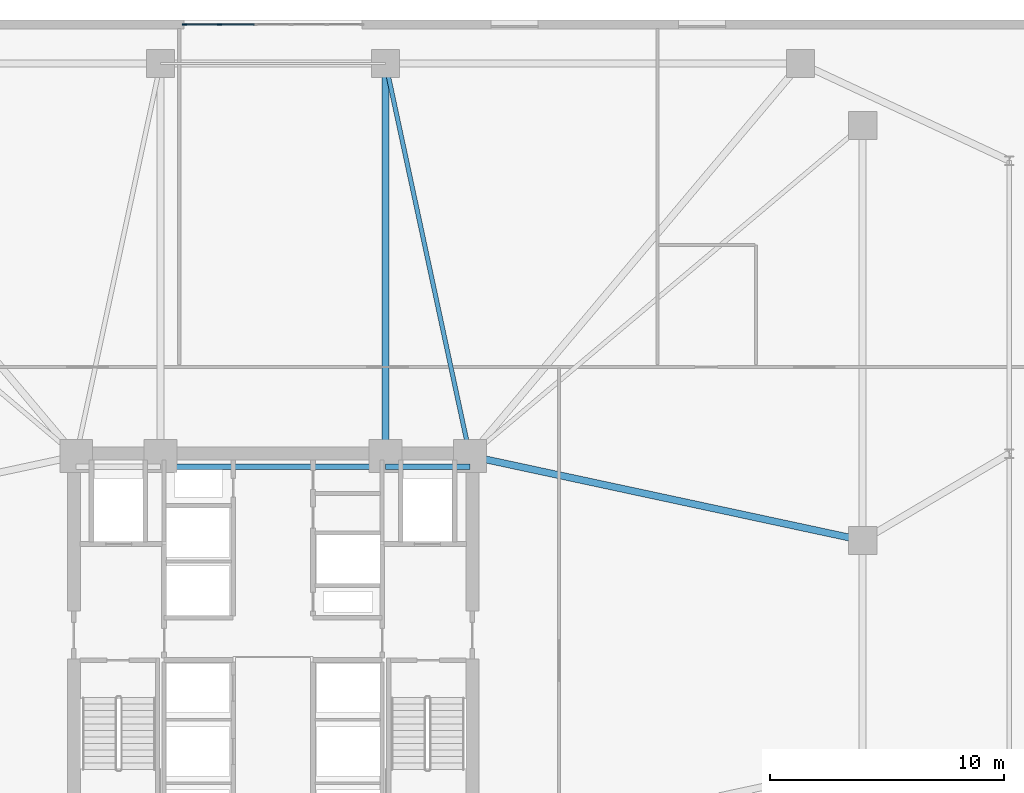
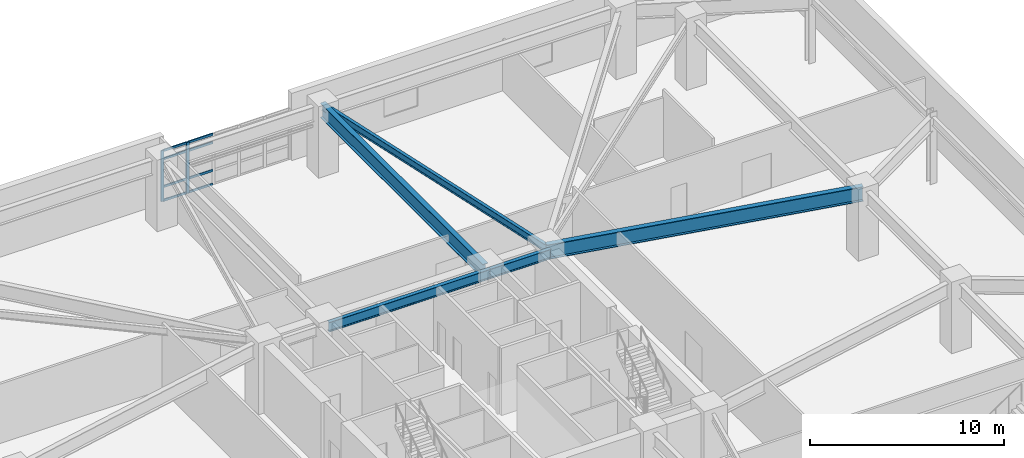
# One storey, part 7 of 21: 10 members, 5 beams, 1 element without a shape of its own.
"""IFC4 building model written with IfcOpenShell, lengths in metres."""

from ifc_helpers import new_model, si_unit, direction, frame, origin, origin_2d, place, context, subcontext, project, spatial, rectangle, i_section, extrude, material, layer, layer_set, material_profile, profile_set, type_object, element, aggregate, save


model = new_model("IFC4")

# Units and contexts
model_context = context("Model", 3, precision=1e-05, world=origin(), true_north=direction((0.0, 1.0)))
body_context = subcontext(model_context, "Body", "Model", "MODEL_VIEW")
ifc_project = project(units=[si_unit("LENGTHUNIT", "METRE"), si_unit("AREAUNIT", "SQUARE_METRE"), si_unit("VOLUMEUNIT", "CUBIC_METRE"), si_unit("PLANEANGLEUNIT", "RADIAN"), si_unit("MASSUNIT", "GRAM", prefix="KILO")], contexts=[model_context])

# Site, building, storey
site_placement = place(None, origin())
site = spatial("IfcSite", under=ifc_project, at=site_placement, CompositionType="ELEMENT")
building_placement = place(site_placement, origin())
building = spatial("IfcBuilding", under=site, at=building_placement, Name="Cairnveth Concourse Tower", CompositionType="ELEMENT")
storey_placement = place(building_placement, frame((0.0, 0.0, 10.0)))
storey = spatial("IfcBuildingStorey", under=building, at=storey_placement, Name="L02", CompositionType="ELEMENT", Elevation=10.0)

# Curtain wall, members
ifc_material_1 = material(Name="Architectural Bronze Anodised Aluminium 6063-T6", Category="aluminium")
ifc_layer = layer(ifc_material_1, 0.340087890625)
ifc_layer_set = layer_set([ifc_layer], Name="Architectural Bronze Anodised Aluminium 6063-T6")
curtain_wall_type = type_object("IfcCurtainWallType", Name="BALLROOM FOYER UNITISED CURTAIN WALL", PredefinedType="USERDEFINED", material=ifc_layer_set)
curtain_wall_placement = place(storey_placement, origin())
curtain_wall = element("IfcCurtainWall", 1, at=curtain_wall_placement, inside=storey, type_object=curtain_wall_type, Name="Curtain Wall CW-L02-N1", ObjectType="UNITISED FACADE", PredefinedType="USERDEFINED")
ifc_material_profile_1 = material_profile(ifc_material_1, rectangle(XDim=0.06494140625, YDim=0.179931640625, at=origin_2d()), Name="AL-MUL-65x180")
ifc_profile_set_1 = profile_set([ifc_material_profile_1], Name="Architectural Bronze Anodised Aluminium 6063-T6")
member_type_1 = type_object("IfcMemberType", Name="BRONZE CURTAIN WALL MULLION AL-MUL-65x180", PredefinedType="MULLION", material=ifc_profile_set_1)
member_1_placement = place(storey_placement, frame((48.217529296875, 65.81005859375, 0.0), z_axis=(0.0, 0.0, 1.0), x_axis=(0.0, 1.0, 0.0)))
member_1 = element("IfcMember", 2, at=member_1_placement, type_object=member_type_1, Name="CWS3 mullion 1", PredefinedType="MULLION", context=body_context, shape_type="SweptSolid", body=[
    extrude(rectangle(XDim=0.06494140625, YDim=0.179931640625, at=origin_2d()), origin(), (0.0, 0.0, 1.0), 3.196044921875),
])
member_2_placement = place(storey_placement, frame((49.7109375, 65.81005859375, 0.0), z_axis=(0.0, 0.0, 1.0), x_axis=(0.0, 1.0, 0.0)))
member_2 = element("IfcMember", 3, at=member_2_placement, type_object=member_type_1, Name="CWS3 mullion 2", PredefinedType="MULLION", context=body_context, shape_type="SweptSolid", body=[
    extrude(rectangle(XDim=0.06494140625, YDim=0.179931640625, at=origin_2d()), origin(), (0.0, 0.0, 1.0), 3.196044921875),
])
ifc_material_profile_2 = material_profile(ifc_material_1, rectangle(XDim=0.06494140625, YDim=0.139892578125, at=origin_2d()), Name="AL-TRN-65x140")
ifc_profile_set_2 = profile_set([ifc_material_profile_2], Name="Architectural Bronze Anodised Aluminium 6063-T6")
member_type_2 = type_object("IfcMemberType", Name="BRONZE CURTAIN WALL TRANSOM AL-TRN-65x140", PredefinedType="USERDEFINED", material=ifc_profile_set_2)
member_3_placement = place(storey_placement, frame((48.25, 65.81005859375, 0.032470703125), z_axis=(1.0, 0.0, 0.0), x_axis=(0.0, 1.0, 0.0)))
member_3 = element("IfcMember", 4, at=member_3_placement, type_object=member_type_2, Name="CWS3 transom 1.1", ObjectType="TRANSOM", PredefinedType="USERDEFINED", context=body_context, shape_type="SweptSolid", body=[
    extrude(rectangle(XDim=0.06494140625, YDim=0.139892578125, at=origin_2d()), origin(), (0.0, 0.0, 1.0), 1.428466796875),
])
member_4_placement = place(storey_placement, frame((48.25, 65.81005859375, 0.89990234375), z_axis=(1.0, 0.0, 0.0), x_axis=(0.0, 1.0, 0.0)))
member_4 = element("IfcMember", 5, at=member_4_placement, type_object=member_type_2, Name="CWS3 transom 1.2", ObjectType="TRANSOM", PredefinedType="USERDEFINED", context=body_context, shape_type="SweptSolid", body=[
    extrude(rectangle(XDim=0.06494140625, YDim=0.139892578125, at=origin_2d()), origin(), (0.0, 0.0, 1.0), 1.428466796875),
])
member_5_placement = place(storey_placement, frame((48.25, 65.81005859375, 2.64599609375), z_axis=(1.0, 0.0, 0.0), x_axis=(0.0, 1.0, 0.0)))
member_5 = element("IfcMember", 6, at=member_5_placement, type_object=member_type_2, Name="CWS3 transom 1.3", ObjectType="TRANSOM", PredefinedType="USERDEFINED", context=body_context, shape_type="SweptSolid", body=[
    extrude(rectangle(XDim=0.06494140625, YDim=0.139892578125, at=origin_2d()), origin(), (0.0, 0.0, 1.0), 1.428466796875),
])
member_6_placement = place(storey_placement, frame((48.25, 65.81005859375, 3.16357421875), z_axis=(1.0, 0.0, 0.0), x_axis=(0.0, 1.0, 0.0)))
member_6 = element("IfcMember", 7, at=member_6_placement, type_object=member_type_2, Name="CWS3 transom 1.4", ObjectType="TRANSOM", PredefinedType="USERDEFINED", context=body_context, shape_type="SweptSolid", body=[
    extrude(rectangle(XDim=0.06494140625, YDim=0.139892578125, at=origin_2d()), origin(), (0.0, 0.0, 1.0), 1.428466796875),
])
member_7_placement = place(storey_placement, frame((49.743408203125, 65.81005859375, 0.032470703125), z_axis=(1.0, 0.0, 0.0), x_axis=(0.0, 1.0, 0.0)))
member_7 = element("IfcMember", 8, at=member_7_placement, type_object=member_type_2, Name="CWS3 transom 2.1", ObjectType="TRANSOM", PredefinedType="USERDEFINED", context=body_context, shape_type="SweptSolid", body=[
    extrude(rectangle(XDim=0.06494140625, YDim=0.139892578125, at=origin_2d()), origin(), (0.0, 0.0, 1.0), 1.461181640625),
])
member_8_placement = place(storey_placement, frame((49.743408203125, 65.81005859375, 0.89990234375), z_axis=(1.0, 0.0, 0.0), x_axis=(0.0, 1.0, 0.0)))
member_8 = element("IfcMember", 9, at=member_8_placement, type_object=member_type_2, Name="CWS3 transom 2.2", ObjectType="TRANSOM", PredefinedType="USERDEFINED", context=body_context, shape_type="SweptSolid", body=[
    extrude(rectangle(XDim=0.06494140625, YDim=0.139892578125, at=origin_2d()), origin(), (0.0, 0.0, 1.0), 1.461181640625),
])
member_9_placement = place(storey_placement, frame((49.743408203125, 65.81005859375, 2.64599609375), z_axis=(1.0, 0.0, 0.0), x_axis=(0.0, 1.0, 0.0)))
member_9 = element("IfcMember", 10, at=member_9_placement, type_object=member_type_2, Name="CWS3 transom 2.3", ObjectType="TRANSOM", PredefinedType="USERDEFINED", context=body_context, shape_type="SweptSolid", body=[
    extrude(rectangle(XDim=0.06494140625, YDim=0.139892578125, at=origin_2d()), origin(), (0.0, 0.0, 1.0), 1.461181640625),
])
member_10_placement = place(storey_placement, frame((49.743408203125, 65.81005859375, 3.16357421875), z_axis=(1.0, 0.0, 0.0), x_axis=(0.0, 1.0, 0.0)))
member_10 = element("IfcMember", 11, at=member_10_placement, type_object=member_type_2, Name="CWS3 transom 2.4", ObjectType="TRANSOM", PredefinedType="USERDEFINED", context=body_context, shape_type="SweptSolid", body=[
    extrude(rectangle(XDim=0.06494140625, YDim=0.139892578125, at=origin_2d()), origin(), (0.0, 0.0, 1.0), 1.461181640625),
])
aggregate(curtain_wall, [member_1, member_2, member_3, member_4, member_5, member_6, member_7, member_8, member_9, member_10])

# Beams
ifc_material_2 = material(Name="Steel Grade 350", Category="steel")
ifc_material_profile_3 = material_profile(ifc_material_2, i_section(OverallWidth=0.22802734375, OverallDepth=0.60693359375, WebThickness=0.01123046875, FlangeThickness=0.017333984375, FilletRadius=0.013916015625, at=origin_2d()), Name="610UB113")
ifc_profile_set_3 = profile_set([ifc_material_profile_3], Name="Steel Grade 350")
beam_type_1 = type_object("IfcBeamType", Name="CORE TIE BEAM 610UB113", PredefinedType="T_BEAM", material=ifc_profile_set_3)
beam_1_placement = place(storey_placement, frame((56.800048828125, 46.949951171875, 3.91650390625), z_axis=(1.0, 0.0, 0.0), x_axis=(0.0, 1.0, 0.0)))
element("IfcBeam", 12, at=beam_1_placement, inside=storey, type_object=beam_type_1, Name="Beam CT-N3 L02", PredefinedType="T_BEAM", context=body_context, shape_type="SweptSolid", body=[
    extrude(i_section(OverallWidth=0.22802734375, OverallDepth=0.60693359375, WebThickness=0.01123046875, FlangeThickness=0.017333984375, FilletRadius=0.013916015625, at=origin_2d()), origin(), (0.0, 0.0, 1.0), 3.599853515625),
])
beam_2_placement = place(storey_placement, frame((47.199951171875, 46.949951171875, 3.91650390625), z_axis=(1.0, 0.0, 0.0), x_axis=(0.0, 1.0, 0.0)))
element("IfcBeam", 13, at=beam_2_placement, inside=storey, type_object=beam_type_1, Name="Beam CT-N2 L02", PredefinedType="T_BEAM", context=body_context, shape_type="SweptSolid", body=[
    extrude(i_section(OverallWidth=0.22802734375, OverallDepth=0.60693359375, WebThickness=0.01123046875, FlangeThickness=0.017333984375, FilletRadius=0.013916015625, at=origin_2d()), origin(), (0.0, 0.0, 1.0), 9.60009765625),
])
ifc_material_profile_4 = material_profile(ifc_material_2, i_section(OverallWidth=0.18994140625, OverallDepth=0.45703125, WebThickness=0.009033203125, FlangeThickness=0.014404296875, FilletRadius=0.010986328125, at=origin_2d()), Name="460UB74.6")
ifc_profile_set_4 = profile_set([ifc_material_profile_4], Name="Steel Grade 350")
beam_type_2 = type_object("IfcBeamType", Name="PODIUM FLOOR JOIST 460UB74.6", PredefinedType="JOIST", material=ifc_profile_set_4)
beam_3_placement = place(storey_placement, frame((60.39990234375, 47.39990234375, 3.991455078125), z_axis=(-0.210118799239, 0.977675861524, 0.0), x_axis=(-0.977675861524, -0.210118799239, 0.0)))
element("IfcBeam", 14, at=beam_3_placement, inside=storey, type_object=beam_type_2, Name="Beam PJ-N-X2 L02", PredefinedType="JOIST", context=body_context, shape_type="SweptSolid", body=[
    extrude(i_section(OverallWidth=0.18994140625, OverallDepth=0.45703125, WebThickness=0.009033203125, FlangeThickness=0.014404296875, FilletRadius=0.010986328125, at=origin_2d()), origin(), (0.0, 0.0, 1.0), 17.132568359375),
])
ifc_material_profile_5 = material_profile(ifc_material_2, i_section(OverallWidth=0.300048828125, OverallDepth=0.924072265625, WebThickness=0.013916015625, FlangeThickness=0.031982421875, at=origin_2d()), Name="900WB257")
ifc_profile_set_5 = profile_set([ifc_material_profile_5], Name="Steel Grade 350")
beam_type_3 = type_object("IfcBeamType", Name="PODIUM PRIMARY GIRDER 900WB257", PredefinedType="BEAM", material=ifc_profile_set_5)
beam_4_placement = place(storey_placement, frame((60.39990234375, 47.39990234375, 3.758056640625), z_axis=(0.977675861524, -0.210118799239, 0.0), x_axis=(0.210118799239, 0.977675861524, 0.0)))
element("IfcBeam", 15, at=beam_4_placement, inside=storey, type_object=beam_type_3, Name="Beam PG-E2 L02", PredefinedType="BEAM", context=body_context, shape_type="SweptSolid", body=[
    extrude(i_section(OverallWidth=0.300048828125, OverallDepth=0.924072265625, WebThickness=0.013916015625, FlangeThickness=0.031982421875, at=origin_2d()), origin(), (0.0, 0.0, 1.0), 17.132568359375),
])
beam_5_placement = place(storey_placement, frame((56.800048828125, 47.39990234375, 3.758056640625), z_axis=(0.0, 1.0, 0.0), x_axis=(-1.0, 0.0, 0.0)))
element("IfcBeam", 16, at=beam_5_placement, inside=storey, type_object=beam_type_3, Name="Beam PG-N2 L02", PredefinedType="BEAM", context=body_context, shape_type="SweptSolid", body=[
    extrude(i_section(OverallWidth=0.300048828125, OverallDepth=0.924072265625, WebThickness=0.013916015625, FlangeThickness=0.031982421875, at=origin_2d()), origin(), (0.0, 0.0, 1.0), 16.75),
])

save(model, "model.ifc")
